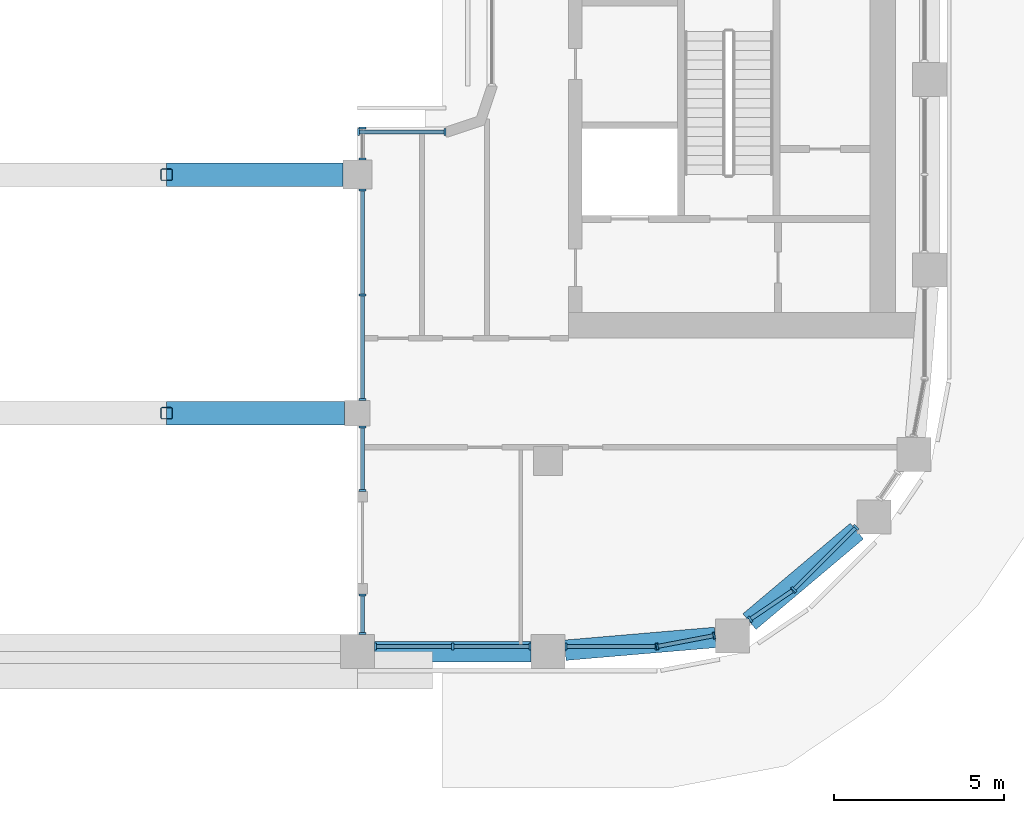
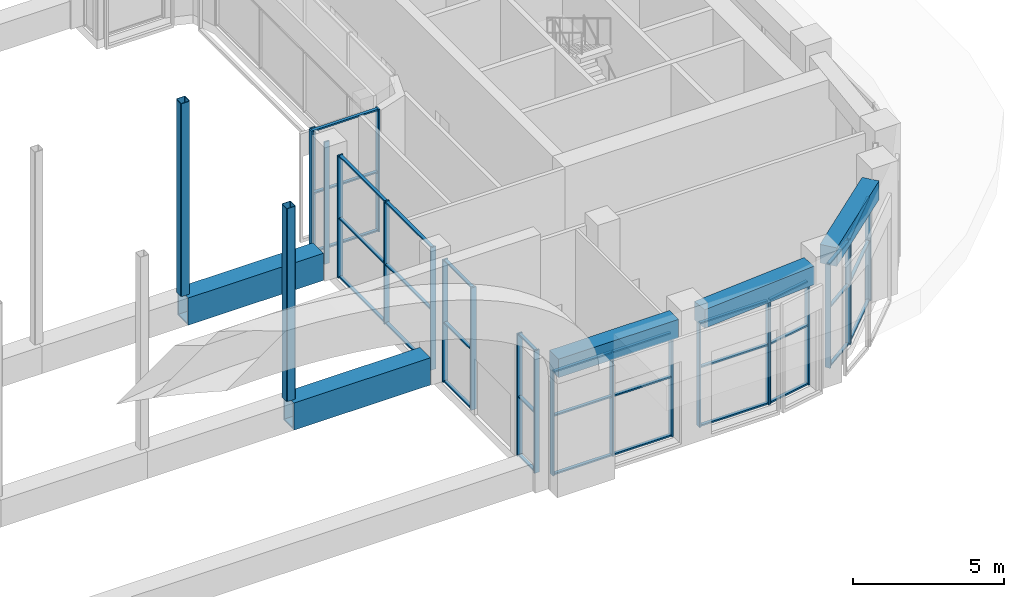
# One storey, part 5 of 28: 59 members, 3 beams, 10 elements without a shape of their own.
"""IFC4 building model written with IfcOpenShell, lengths in metres."""

from ifc_helpers import new_model, si_unit, direction, frame, origin, origin_2d, place, context, subcontext, project, spatial, rectangle, hollow_rectangle, extrude, material, layer, layer_set, material_profile, profile_set, type_object, element, aggregate, save


model = new_model("IFC4")

# Units and contexts
model_context = context("Model", 3, precision=1e-05, world=origin(), true_north=direction((0.0, 1.0)))
body_context = subcontext(model_context, "Body", "Model", "MODEL_VIEW")
ifc_project = project(units=[si_unit("LENGTHUNIT", "METRE"), si_unit("AREAUNIT", "SQUARE_METRE"), si_unit("VOLUMEUNIT", "CUBIC_METRE"), si_unit("PLANEANGLEUNIT", "RADIAN"), si_unit("MASSUNIT", "GRAM", prefix="KILO")], contexts=[model_context])

# Site, building, storey
site_placement = place(None, origin())
site = spatial("IfcSite", under=ifc_project, at=site_placement, CompositionType="ELEMENT")
building_placement = place(site_placement, origin())
building = spatial("IfcBuilding", under=site, at=building_placement, Name="Kiln Ring Residences", CompositionType="ELEMENT")
storey_placement = place(building_placement, frame((0.0, 0.0, 178.10009765625)))
storey = spatial("IfcBuildingStorey", under=building, at=storey_placement, Name="L46", CompositionType="ELEMENT", Elevation=178.10009765625)

# Members
ifc_material_1 = material(Name="Steel S460", Category="steel")
ifc_material_profile_1 = material_profile(ifc_material_1, hollow_rectangle(XDim=0.699951171875, YDim=1.10009765625, WallThickness=0.06005859375, at=origin_2d()), Name="BOX1100x700x60")
ifc_profile_set_1 = profile_set([ifc_material_profile_1], Name="Steel S460")
member_type_1 = type_object("IfcMemberType", Name="Bridge truss chord BOX1100x700x60 S460", PredefinedType="CHORD", material=ifc_profile_set_1)
member_1_placement = place(storey_placement, frame((5.60009765625, -15.39990234375, 0.5498046875), z_axis=(1.0, 0.0, 0.0), x_axis=(0.0, 1.0, 0.0)))
element("IfcMember", 1, at=member_1_placement, inside=storey, type_object=member_type_1, Name="Bridge truss chord L46 5", PredefinedType="CHORD", context=body_context, shape_type="SweptSolid", body=[
    extrude(hollow_rectangle(XDim=0.699951171875, YDim=1.10009765625, WallThickness=0.06005859375, at=origin_2d()), origin(), (0.0, 0.0, 1.0), 5.224853515625),
])
member_2_placement = place(storey_placement, frame((5.60009765625, -8.39990234375, 0.5498046875), z_axis=(1.0, 0.0, 0.0), x_axis=(0.0, 1.0, 0.0)))
element("IfcMember", 2, at=member_2_placement, inside=storey, type_object=member_type_1, Name="Bridge truss chord L46 9", PredefinedType="CHORD", context=body_context, shape_type="SweptSolid", body=[
    extrude(hollow_rectangle(XDim=0.699951171875, YDim=1.10009765625, WallThickness=0.06005859375, at=origin_2d()), origin(), (0.0, 0.0, 1.0), 5.1748046875),
])
ifc_material_2 = material(Name="Steel S355", Category="steel")
ifc_material_profile_2 = material_profile(ifc_material_2, hollow_rectangle(XDim=0.35009765625, YDim=0.35009765625, WallThickness=0.02001953125, InnerFilletRadius=0.02001953125, OuterFilletRadius=0.050048828125, at=origin_2d()), Name="SHS350x350x20")
ifc_profile_set_2 = profile_set([ifc_material_profile_2], Name="Steel S355")
member_type_2 = type_object("IfcMemberType", Name="Bridge truss post SHS350x350x20 S355", PredefinedType="POST", material=ifc_profile_set_2)
for number, where, z_axis, x_axis, name in (
    (3, (5.60009765625, -15.39990234375, 1.099853515625), (0.0, 0.0, 1.0), (1.0, 0.0, 0.0), "Bridge truss post L46 3"),
    (4, (5.60009765625, -8.39990234375, 1.099853515625), (0.0, 0.0, 1.0), (1.0, 0.0, 0.0), "Bridge truss post L46 6"),
):
    element("IfcMember", number, at=place(storey_placement, frame(where, z_axis=z_axis, x_axis=x_axis)), inside=storey, type_object=member_type_2, Name=name, PredefinedType="POST", context=body_context, shape_type="SweptSolid", body=[
        extrude(hollow_rectangle(XDim=0.35009765625, YDim=0.35009765625, WallThickness=0.02001953125, InnerFilletRadius=0.02001953125, OuterFilletRadius=0.050048828125, at=origin_2d()), origin(), (0.0, 0.0, 1.0), 7.800048828125),
    ])

# Curtain wall, members
ifc_material_3 = material(Name="Aluminium and glass", Category="aluminium")
ifc_layer = layer(ifc_material_3, 0.199951171875)
ifc_layer_set = layer_set([ifc_layer], Name="CW1 CURTAIN WALL")
curtain_wall_type = type_object("IfcCurtainWallType", Name="CW1 CURTAIN WALL", PredefinedType="NOTDEFINED", material=ifc_layer_set)
placement = place(storey_placement, origin())
curtain_wall_1 = element("IfcCurtainWall", 5, at=placement, inside=storey, type_object=curtain_wall_type, Name="Curtain wall CW1 L46", PredefinedType="NOTDEFINED")
ifc_material_4 = material(Name="Aluminium 6063-T6", Category="aluminium")
ifc_material_profile_3 = material_profile(ifc_material_4, rectangle(XDim=0.199951171875, YDim=0.06005859375, at=origin_2d()), Name="AL 200x60")
ifc_profile_set_3 = profile_set([ifc_material_profile_3], Name="Aluminium 6063-T6")
member_type_3 = type_object("IfcMemberType", Name="CW1 MULLION 200 x 60", PredefinedType="MULLION", material=ifc_profile_set_3)
member_3_placement = place(storey_placement, frame((13.77001953125, -7.14990234375, 0.0), z_axis=(0.0, 0.0, 1.0), x_axis=(0.0, -1.0, 0.0)))
member_3 = element("IfcMember", 6, at=member_3_placement, type_object=member_type_3, Name="CW1 mullion 1", PredefinedType="MULLION", context=body_context, shape_type="SweptSolid", body=[
    extrude(rectangle(XDim=0.199951171875, YDim=0.06005859375, at=origin_2d()), origin(), (0.0, 0.0, 1.0), 4.949951171875),
])
member_4_placement = place(storey_placement, frame((11.22998046875, -7.14990234375, 0.0), z_axis=(0.0, 0.0, 1.0), x_axis=(0.0, -1.0, 0.0)))
member_4 = element("IfcMember", 7, at=member_4_placement, type_object=member_type_3, Name="CW1 mullion 2", PredefinedType="MULLION", context=body_context, shape_type="SweptSolid", body=[
    extrude(rectangle(XDim=0.199951171875, YDim=0.06005859375, at=origin_2d()), origin(), (0.0, 0.0, 1.0), 4.949951171875),
])

curtain_wall_2 = element("IfcCurtainWall", 8, at=placement, inside=storey, type_object=curtain_wall_type, Name="Curtain wall CW1 L46", PredefinedType="NOTDEFINED")
member_5_placement = place(storey_placement, frame((11.35009765625, -7.030029296875, 0.0), z_axis=(0.0, 0.0, 1.0), x_axis=(1.0, 0.0, 0.0)))
member_5 = element("IfcMember", 9, at=member_5_placement, type_object=member_type_3, Name="CW1 mullion 1", PredefinedType="MULLION", context=body_context, shape_type="SweptSolid", body=[
    extrude(rectangle(XDim=0.199951171875, YDim=0.06005859375, at=origin_2d()), origin(), (0.0, 0.0, 1.0), 4.949951171875),
])
member_6_placement = place(storey_placement, frame((11.35009765625, -7.945068359375, 0.0), z_axis=(0.0, 0.0, 1.0), x_axis=(1.0, 0.0, 0.0)))
member_6 = element("IfcMember", 10, at=member_6_placement, type_object=member_type_3, Name="CW1 mullion 2", PredefinedType="MULLION", context=body_context, shape_type="SweptSolid", body=[
    extrude(rectangle(XDim=0.199951171875, YDim=0.06005859375, at=origin_2d()), origin(), (0.0, 0.0, 1.0), 4.949951171875),
])
aggregate(curtain_wall_2, [member_5, member_6])

curtain_wall_3 = element("IfcCurtainWall", 11, at=placement, inside=storey, type_object=curtain_wall_type, Name="Curtain wall CW1 L46", PredefinedType="NOTDEFINED")
member_7_placement = place(storey_placement, frame((11.35009765625, -8.85498046875, 0.0), z_axis=(0.0, 0.0, 1.0), x_axis=(1.0, 0.0, 0.0)))
member_7 = element("IfcMember", 12, at=member_7_placement, type_object=member_type_3, Name="CW1 mullion 1", PredefinedType="MULLION", context=body_context, shape_type="SweptSolid", body=[
    extrude(rectangle(XDim=0.199951171875, YDim=0.06005859375, at=origin_2d()), origin(), (0.0, 0.0, 1.0), 4.949951171875),
])
member_8_placement = place(storey_placement, frame((11.35009765625, -11.925048828125, 0.0), z_axis=(0.0, 0.0, 1.0), x_axis=(1.0, 0.0, 0.0)))
member_8 = element("IfcMember", 13, at=member_8_placement, type_object=member_type_3, Name="CW1 mullion 2", PredefinedType="MULLION", context=body_context, shape_type="SweptSolid", body=[
    extrude(rectangle(XDim=0.199951171875, YDim=0.06005859375, at=origin_2d()), origin(), (0.0, 0.0, 1.0), 4.949951171875),
])
member_9_placement = place(storey_placement, frame((11.35009765625, -14.9951171875, 0.0), z_axis=(0.0, 0.0, 1.0), x_axis=(1.0, 0.0, 0.0)))
member_9 = element("IfcMember", 14, at=member_9_placement, type_object=member_type_3, Name="CW1 mullion 3", PredefinedType="MULLION", context=body_context, shape_type="SweptSolid", body=[
    extrude(rectangle(XDim=0.199951171875, YDim=0.06005859375, at=origin_2d()), origin(), (0.0, 0.0, 1.0), 4.949951171875),
])

curtain_wall_4 = element("IfcCurtainWall", 15, at=placement, inside=storey, type_object=curtain_wall_type, Name="Curtain wall CW1 L46", PredefinedType="NOTDEFINED")
member_10_placement = place(storey_placement, frame((11.35009765625, -15.804931640625, 0.0), z_axis=(0.0, 0.0, 1.0), x_axis=(1.0, 0.0, 0.0)))
member_10 = element("IfcMember", 16, at=member_10_placement, type_object=member_type_3, Name="CW1 mullion 1", PredefinedType="MULLION", context=body_context, shape_type="SweptSolid", body=[
    extrude(rectangle(XDim=0.199951171875, YDim=0.06005859375, at=origin_2d()), origin(), (0.0, 0.0, 1.0), 4.949951171875),
])
member_11_placement = place(storey_placement, frame((11.35009765625, -17.669921875, 0.0), z_axis=(0.0, 0.0, 1.0), x_axis=(1.0, 0.0, 0.0)))
member_11 = element("IfcMember", 17, at=member_11_placement, type_object=member_type_3, Name="CW1 mullion 2", PredefinedType="MULLION", context=body_context, shape_type="SweptSolid", body=[
    extrude(rectangle(XDim=0.199951171875, YDim=0.06005859375, at=origin_2d()), origin(), (0.0, 0.0, 1.0), 4.949951171875),
])

curtain_wall_5 = element("IfcCurtainWall", 18, at=placement, inside=storey, type_object=curtain_wall_type, Name="Curtain wall CW1 L46", PredefinedType="NOTDEFINED")
member_12_placement = place(storey_placement, frame((11.35009765625, -20.72998046875, 0.0), z_axis=(0.0, 0.0, 1.0), x_axis=(1.0, 0.0, 0.0)))
member_12 = element("IfcMember", 19, at=member_12_placement, type_object=member_type_3, Name="CW1 mullion 1", PredefinedType="MULLION", context=body_context, shape_type="SweptSolid", body=[
    extrude(rectangle(XDim=0.199951171875, YDim=0.06005859375, at=origin_2d()), origin(), (0.0, 0.0, 1.0), 4.949951171875),
])
member_13_placement = place(storey_placement, frame((11.35009765625, -21.8701171875, 0.0), z_axis=(0.0, 0.0, 1.0), x_axis=(1.0, 0.0, 0.0)))
member_13 = element("IfcMember", 20, at=member_13_placement, type_object=member_type_3, Name="CW1 mullion 2", PredefinedType="MULLION", context=body_context, shape_type="SweptSolid", body=[
    extrude(rectangle(XDim=0.199951171875, YDim=0.06005859375, at=origin_2d()), origin(), (0.0, 0.0, 1.0), 4.949951171875),
])

curtain_wall_6 = element("IfcCurtainWall", 21, at=placement, inside=storey, type_object=curtain_wall_type, Name="Curtain wall CW1 L46", PredefinedType="NOTDEFINED")
member_14_placement = place(storey_placement, frame((11.72998046875, -22.25, 0.0), z_axis=(0.0, 0.0, 1.0), x_axis=(0.0, 1.0, 0.0)))
member_14 = element("IfcMember", 22, at=member_14_placement, type_object=member_type_3, Name="CW1 mullion 1", PredefinedType="MULLION", context=body_context, shape_type="SweptSolid", body=[
    extrude(rectangle(XDim=0.199951171875, YDim=0.06005859375, at=origin_2d()), origin(), (0.0, 0.0, 1.0), 4.199951171875),
])
member_15_placement = place(storey_placement, frame((14.0, -22.25, 0.0), z_axis=(0.0, 0.0, 1.0), x_axis=(0.0, 1.0, 0.0)))
member_15 = element("IfcMember", 23, at=member_15_placement, type_object=member_type_3, Name="CW1 mullion 2", PredefinedType="MULLION", context=body_context, shape_type="SweptSolid", body=[
    extrude(rectangle(XDim=0.199951171875, YDim=0.06005859375, at=origin_2d()), origin(), (0.0, 0.0, 1.0), 4.199951171875),
])
member_16_placement = place(storey_placement, frame((16.27001953125, -22.25, 0.0), z_axis=(0.0, 0.0, 1.0), x_axis=(0.0, 1.0, 0.0)))
member_16 = element("IfcMember", 24, at=member_16_placement, type_object=member_type_3, Name="CW1 mullion 3", PredefinedType="MULLION", context=body_context, shape_type="SweptSolid", body=[
    extrude(rectangle(XDim=0.199951171875, YDim=0.06005859375, at=origin_2d()), origin(), (0.0, 0.0, 1.0), 4.199951171875),
])

curtain_wall_7 = element("IfcCurtainWall", 25, at=placement, inside=storey, type_object=curtain_wall_type, Name="Curtain wall CW1 L46", PredefinedType="NOTDEFINED")
member_17_placement = place(storey_placement, frame((17.330078125, -22.25, 0.0), z_axis=(0.0, 0.0, 1.0), x_axis=(0.0, 1.0, 0.0)))
member_17 = element("IfcMember", 26, at=member_17_placement, type_object=member_type_3, Name="CW1 mullion 1", PredefinedType="MULLION", context=body_context, shape_type="SweptSolid", body=[
    extrude(rectangle(XDim=0.199951171875, YDim=0.06005859375, at=origin_2d()), origin(), (0.0, 0.0, 1.0), 4.199951171875),
])
member_18_placement = place(storey_placement, frame((19.969970703125, -22.25, 0.0), z_axis=(0.0, 0.0, 1.0), x_axis=(0.0, 1.0, 0.0)))
member_18 = element("IfcMember", 27, at=member_18_placement, type_object=member_type_3, Name="CW1 mullion 2", PredefinedType="MULLION", context=body_context, shape_type="SweptSolid", body=[
    extrude(rectangle(XDim=0.199951171875, YDim=0.06005859375, at=origin_2d()), origin(), (0.0, 0.0, 1.0), 4.199951171875),
])

curtain_wall_8 = element("IfcCurtainWall", 28, at=placement, inside=storey, type_object=curtain_wall_type, Name="Curtain wall CW1 L46", PredefinedType="NOTDEFINED")
member_19_placement = place(storey_placement, frame((20.00146484375, -22.2470703125, 0.0), z_axis=(0.0, 0.0, 1.0), x_axis=(-0.187365550227, 0.98229025781, 0.0)))
member_19 = element("IfcMember", 29, at=member_19_placement, type_object=member_type_3, Name="CW1 mullion 1", PredefinedType="MULLION", context=body_context, shape_type="SweptSolid", body=[
    extrude(rectangle(XDim=0.199951171875, YDim=0.06005859375, at=origin_2d()), origin(), (0.0, 0.0, 1.0), 4.199951171875),
])
member_20_placement = place(storey_placement, frame((21.66748046875, -21.92919921875, 0.0), z_axis=(0.0, 0.0, 1.0), x_axis=(-0.187365550227, 0.98229025781, 0.0)))
member_20 = element("IfcMember", 30, at=member_20_placement, type_object=member_type_3, Name="CW1 mullion 2", PredefinedType="MULLION", context=body_context, shape_type="SweptSolid", body=[
    extrude(rectangle(XDim=0.199951171875, YDim=0.06005859375, at=origin_2d()), origin(), (0.0, 0.0, 1.0), 4.199951171875),
])

curtain_wall_9 = element("IfcCurtainWall", 31, at=placement, inside=storey, type_object=curtain_wall_type, Name="Curtain wall CW1 L46", PredefinedType="NOTDEFINED")
member_21_placement = place(storey_placement, frame((22.7333984375, -21.4482421875, 0.0), z_axis=(0.0, 0.0, 1.0), x_axis=(-0.562096651438, 0.827071553399, 0.0)))
member_21 = element("IfcMember", 32, at=member_21_placement, type_object=member_type_3, Name="CW1 mullion 1", PredefinedType="MULLION", context=body_context, shape_type="SweptSolid", body=[
    extrude(rectangle(XDim=0.199951171875, YDim=0.06005859375, at=origin_2d()), origin(), (0.0, 0.0, 1.0), 4.199951171875),
])
member_22_placement = place(storey_placement, frame((23.988037109375, -20.595703125, 0.0), z_axis=(0.0, 0.0, 1.0), x_axis=(-0.562096651438, 0.827071553399, 0.0)))
member_22 = element("IfcMember", 33, at=member_22_placement, type_object=member_type_3, Name="CW1 mullion 2", PredefinedType="MULLION", context=body_context, shape_type="SweptSolid", body=[
    extrude(rectangle(XDim=0.199951171875, YDim=0.06005859375, at=origin_2d()), origin(), (0.0, 0.0, 1.0), 4.199951171875),
])

curtain_wall_10 = element("IfcCurtainWall", 34, at=placement, inside=storey, type_object=curtain_wall_type, Name="Curtain wall CW1 L46", PredefinedType="NOTDEFINED")
member_23_placement = place(storey_placement, frame((24.01220703125, -20.57568359375, 0.0), z_axis=(0.0, 0.0, 1.0), x_axis=(-0.707106781187, 0.707106781187, 0.0)))
member_23 = element("IfcMember", 35, at=member_23_placement, type_object=member_type_3, Name="CW1 mullion 1", PredefinedType="MULLION", context=body_context, shape_type="SweptSolid", body=[
    extrude(rectangle(XDim=0.199951171875, YDim=0.06005859375, at=origin_2d()), origin(), (0.0, 0.0, 1.0), 4.199951171875),
])
member_24_placement = place(storey_placement, frame((25.838623046875, -18.749267578125, 0.0), z_axis=(0.0, 0.0, 1.0), x_axis=(-0.707106781187, 0.707106781187, 0.0)))
member_24 = element("IfcMember", 36, at=member_24_placement, type_object=member_type_3, Name="CW1 mullion 2", PredefinedType="MULLION", context=body_context, shape_type="SweptSolid", body=[
    extrude(rectangle(XDim=0.199951171875, YDim=0.06005859375, at=origin_2d()), origin(), (0.0, 0.0, 1.0), 4.199951171875),
])

# Member
ifc_material_5 = material(Name="Aluminium 6063-T6", Category="aluminium")
ifc_material_profile_4 = material_profile(ifc_material_5, rectangle(XDim=0.1201171875, YDim=0.06005859375, at=origin_2d()), Name="AL 120x60")
ifc_profile_set_4 = profile_set([ifc_material_profile_4], Name="Aluminium 6063-T6")
member_type_4 = type_object("IfcMemberType", Name="CW1 TRANSOM 120 x 60", PredefinedType="USERDEFINED", material=ifc_profile_set_4)
member_25_placement = place(storey_placement, frame((13.739990234375, -7.14990234375, 0.02978515625), z_axis=(-1.0, 0.0, 0.0), x_axis=(0.0, -1.0, 0.0)))
member_25 = element("IfcMember", 37, at=member_25_placement, type_object=member_type_4, Name="CW1 transom 1.1", ObjectType="TRANSOM", PredefinedType="USERDEFINED", context=body_context, shape_type="SweptSolid", body=[
    extrude(rectangle(XDim=0.1201171875, YDim=0.06005859375, at=origin_2d()), origin(), (0.0, 0.0, 1.0), 2.47998046875),
])

member_26_placement = place(storey_placement, frame((13.739990234375, -7.14990234375, 2.39990234375), z_axis=(-1.0, 0.0, 0.0), x_axis=(0.0, -1.0, 0.0)))
member_26 = element("IfcMember", 38, at=member_26_placement, type_object=member_type_4, Name="CW1 transom 1.2", ObjectType="TRANSOM", PredefinedType="USERDEFINED", context=body_context, shape_type="SweptSolid", body=[
    extrude(rectangle(XDim=0.1201171875, YDim=0.06005859375, at=origin_2d()), origin(), (0.0, 0.0, 1.0), 2.47998046875),
])

member_27_placement = place(storey_placement, frame((13.739990234375, -7.14990234375, 4.919921875), z_axis=(-1.0, 0.0, 0.0), x_axis=(0.0, -1.0, 0.0)))
member_27 = element("IfcMember", 39, at=member_27_placement, type_object=member_type_4, Name="CW1 transom 1.3", ObjectType="TRANSOM", PredefinedType="USERDEFINED", context=body_context, shape_type="SweptSolid", body=[
    extrude(rectangle(XDim=0.1201171875, YDim=0.06005859375, at=origin_2d()), origin(), (0.0, 0.0, 1.0), 2.47998046875),
])

aggregate(curtain_wall_1, [member_3, member_4, member_25, member_26, member_27])

member_28_placement = place(storey_placement, frame((11.35009765625, -8.885009765625, 0.02978515625), z_axis=(0.0, -1.0, 0.0), x_axis=(1.0, 0.0, 0.0)))
member_28 = element("IfcMember", 40, at=member_28_placement, type_object=member_type_4, Name="CW1 transom 1.1", ObjectType="TRANSOM", PredefinedType="USERDEFINED", context=body_context, shape_type="SweptSolid", body=[
    extrude(rectangle(XDim=0.1201171875, YDim=0.06005859375, at=origin_2d()), origin(), (0.0, 0.0, 1.0), 3.010009765625),
])

member_29_placement = place(storey_placement, frame((11.35009765625, -8.885009765625, 2.39990234375), z_axis=(0.0, -1.0, 0.0), x_axis=(1.0, 0.0, 0.0)))
member_29 = element("IfcMember", 41, at=member_29_placement, type_object=member_type_4, Name="CW1 transom 1.2", ObjectType="TRANSOM", PredefinedType="USERDEFINED", context=body_context, shape_type="SweptSolid", body=[
    extrude(rectangle(XDim=0.1201171875, YDim=0.06005859375, at=origin_2d()), origin(), (0.0, 0.0, 1.0), 3.010009765625),
])

member_30_placement = place(storey_placement, frame((11.35009765625, -8.885009765625, 4.919921875), z_axis=(0.0, -1.0, 0.0), x_axis=(1.0, 0.0, 0.0)))
member_30 = element("IfcMember", 42, at=member_30_placement, type_object=member_type_4, Name="CW1 transom 1.3", ObjectType="TRANSOM", PredefinedType="USERDEFINED", context=body_context, shape_type="SweptSolid", body=[
    extrude(rectangle(XDim=0.1201171875, YDim=0.06005859375, at=origin_2d()), origin(), (0.0, 0.0, 1.0), 3.010009765625),
])

member_31_placement = place(storey_placement, frame((11.35009765625, -11.955078125, 0.02978515625), z_axis=(0.0, -1.0, 0.0), x_axis=(1.0, 0.0, 0.0)))
member_31 = element("IfcMember", 43, at=member_31_placement, type_object=member_type_4, Name="CW1 transom 2.1", ObjectType="TRANSOM", PredefinedType="USERDEFINED", context=body_context, shape_type="SweptSolid", body=[
    extrude(rectangle(XDim=0.1201171875, YDim=0.06005859375, at=origin_2d()), origin(), (0.0, 0.0, 1.0), 3.010009765625),
])

member_32_placement = place(storey_placement, frame((11.35009765625, -11.955078125, 2.39990234375), z_axis=(0.0, -1.0, 0.0), x_axis=(1.0, 0.0, 0.0)))
member_32 = element("IfcMember", 44, at=member_32_placement, type_object=member_type_4, Name="CW1 transom 2.2", ObjectType="TRANSOM", PredefinedType="USERDEFINED", context=body_context, shape_type="SweptSolid", body=[
    extrude(rectangle(XDim=0.1201171875, YDim=0.06005859375, at=origin_2d()), origin(), (0.0, 0.0, 1.0), 3.010009765625),
])

member_33_placement = place(storey_placement, frame((11.35009765625, -11.955078125, 4.919921875), z_axis=(0.0, -1.0, 0.0), x_axis=(1.0, 0.0, 0.0)))
member_33 = element("IfcMember", 45, at=member_33_placement, type_object=member_type_4, Name="CW1 transom 2.3", ObjectType="TRANSOM", PredefinedType="USERDEFINED", context=body_context, shape_type="SweptSolid", body=[
    extrude(rectangle(XDim=0.1201171875, YDim=0.06005859375, at=origin_2d()), origin(), (0.0, 0.0, 1.0), 3.010009765625),
])

aggregate(curtain_wall_3, [member_7, member_8, member_9, member_28, member_29, member_30, member_31, member_32, member_33])

member_34_placement = place(storey_placement, frame((11.35009765625, -15.8349609375, 0.02978515625), z_axis=(0.0, -1.0, 0.0), x_axis=(1.0, 0.0, 0.0)))
member_34 = element("IfcMember", 46, at=member_34_placement, type_object=member_type_4, Name="CW1 transom 1.1", ObjectType="TRANSOM", PredefinedType="USERDEFINED", context=body_context, shape_type="SweptSolid", body=[
    extrude(rectangle(XDim=0.1201171875, YDim=0.06005859375, at=origin_2d()), origin(), (0.0, 0.0, 1.0), 1.804931640625),
])

member_35_placement = place(storey_placement, frame((11.35009765625, -15.8349609375, 2.39990234375), z_axis=(0.0, -1.0, 0.0), x_axis=(1.0, 0.0, 0.0)))
member_35 = element("IfcMember", 47, at=member_35_placement, type_object=member_type_4, Name="CW1 transom 1.2", ObjectType="TRANSOM", PredefinedType="USERDEFINED", context=body_context, shape_type="SweptSolid", body=[
    extrude(rectangle(XDim=0.1201171875, YDim=0.06005859375, at=origin_2d()), origin(), (0.0, 0.0, 1.0), 1.804931640625),
])

member_36_placement = place(storey_placement, frame((11.35009765625, -15.8349609375, 4.919921875), z_axis=(0.0, -1.0, 0.0), x_axis=(1.0, 0.0, 0.0)))
member_36 = element("IfcMember", 48, at=member_36_placement, type_object=member_type_4, Name="CW1 transom 1.3", ObjectType="TRANSOM", PredefinedType="USERDEFINED", context=body_context, shape_type="SweptSolid", body=[
    extrude(rectangle(XDim=0.1201171875, YDim=0.06005859375, at=origin_2d()), origin(), (0.0, 0.0, 1.0), 1.804931640625),
])

aggregate(curtain_wall_4, [member_10, member_11, member_34, member_35, member_36])

member_37_placement = place(storey_placement, frame((11.35009765625, -20.760009765625, 0.02978515625), z_axis=(0.0, -1.0, 0.0), x_axis=(1.0, 0.0, 0.0)))
member_37 = element("IfcMember", 49, at=member_37_placement, type_object=member_type_4, Name="CW1 transom 1.1", ObjectType="TRANSOM", PredefinedType="USERDEFINED", context=body_context, shape_type="SweptSolid", body=[
    extrude(rectangle(XDim=0.1201171875, YDim=0.06005859375, at=origin_2d()), origin(), (0.0, 0.0, 1.0), 1.080078125),
])

member_38_placement = place(storey_placement, frame((11.35009765625, -20.760009765625, 2.39990234375), z_axis=(0.0, -1.0, 0.0), x_axis=(1.0, 0.0, 0.0)))
member_38 = element("IfcMember", 50, at=member_38_placement, type_object=member_type_4, Name="CW1 transom 1.2", ObjectType="TRANSOM", PredefinedType="USERDEFINED", context=body_context, shape_type="SweptSolid", body=[
    extrude(rectangle(XDim=0.1201171875, YDim=0.06005859375, at=origin_2d()), origin(), (0.0, 0.0, 1.0), 1.080078125),
])

member_39_placement = place(storey_placement, frame((11.35009765625, -20.760009765625, 4.919921875), z_axis=(0.0, -1.0, 0.0), x_axis=(1.0, 0.0, 0.0)))
member_39 = element("IfcMember", 51, at=member_39_placement, type_object=member_type_4, Name="CW1 transom 1.3", ObjectType="TRANSOM", PredefinedType="USERDEFINED", context=body_context, shape_type="SweptSolid", body=[
    extrude(rectangle(XDim=0.1201171875, YDim=0.06005859375, at=origin_2d()), origin(), (0.0, 0.0, 1.0), 1.080078125),
])

aggregate(curtain_wall_5, [member_12, member_13, member_37, member_38, member_39])

member_40_placement = place(storey_placement, frame((11.760009765625, -22.25, 0.02978515625), z_axis=(1.0, 0.0, 0.0), x_axis=(0.0, 1.0, 0.0)))
member_40 = element("IfcMember", 52, at=member_40_placement, type_object=member_type_4, Name="CW1 transom 1.1", ObjectType="TRANSOM", PredefinedType="USERDEFINED", context=body_context, shape_type="SweptSolid", body=[
    extrude(rectangle(XDim=0.1201171875, YDim=0.06005859375, at=origin_2d()), origin(), (0.0, 0.0, 1.0), 2.2099609375),
])

member_41_placement = place(storey_placement, frame((11.760009765625, -22.25, 2.39990234375), z_axis=(1.0, 0.0, 0.0), x_axis=(0.0, 1.0, 0.0)))
member_41 = element("IfcMember", 53, at=member_41_placement, type_object=member_type_4, Name="CW1 transom 1.2", ObjectType="TRANSOM", PredefinedType="USERDEFINED", context=body_context, shape_type="SweptSolid", body=[
    extrude(rectangle(XDim=0.1201171875, YDim=0.06005859375, at=origin_2d()), origin(), (0.0, 0.0, 1.0), 2.2099609375),
])

member_42_placement = place(storey_placement, frame((11.760009765625, -22.25, 4.169921875), z_axis=(1.0, 0.0, 0.0), x_axis=(0.0, 1.0, 0.0)))
member_42 = element("IfcMember", 54, at=member_42_placement, type_object=member_type_4, Name="CW1 transom 1.3", ObjectType="TRANSOM", PredefinedType="USERDEFINED", context=body_context, shape_type="SweptSolid", body=[
    extrude(rectangle(XDim=0.1201171875, YDim=0.06005859375, at=origin_2d()), origin(), (0.0, 0.0, 1.0), 2.2099609375),
])

member_43_placement = place(storey_placement, frame((14.030029296875, -22.25, 0.02978515625), z_axis=(1.0, 0.0, 0.0), x_axis=(0.0, 1.0, 0.0)))
member_43 = element("IfcMember", 55, at=member_43_placement, type_object=member_type_4, Name="CW1 transom 2.1", ObjectType="TRANSOM", PredefinedType="USERDEFINED", context=body_context, shape_type="SweptSolid", body=[
    extrude(rectangle(XDim=0.1201171875, YDim=0.06005859375, at=origin_2d()), origin(), (0.0, 0.0, 1.0), 2.2099609375),
])

member_44_placement = place(storey_placement, frame((14.030029296875, -22.25, 2.39990234375), z_axis=(1.0, 0.0, 0.0), x_axis=(0.0, 1.0, 0.0)))
member_44 = element("IfcMember", 56, at=member_44_placement, type_object=member_type_4, Name="CW1 transom 2.2", ObjectType="TRANSOM", PredefinedType="USERDEFINED", context=body_context, shape_type="SweptSolid", body=[
    extrude(rectangle(XDim=0.1201171875, YDim=0.06005859375, at=origin_2d()), origin(), (0.0, 0.0, 1.0), 2.2099609375),
])

member_45_placement = place(storey_placement, frame((14.030029296875, -22.25, 4.169921875), z_axis=(1.0, 0.0, 0.0), x_axis=(0.0, 1.0, 0.0)))
member_45 = element("IfcMember", 57, at=member_45_placement, type_object=member_type_4, Name="CW1 transom 2.3", ObjectType="TRANSOM", PredefinedType="USERDEFINED", context=body_context, shape_type="SweptSolid", body=[
    extrude(rectangle(XDim=0.1201171875, YDim=0.06005859375, at=origin_2d()), origin(), (0.0, 0.0, 1.0), 2.2099609375),
])

aggregate(curtain_wall_6, [member_14, member_15, member_16, member_40, member_41, member_42, member_43, member_44, member_45])

member_46_placement = place(storey_placement, frame((17.360107421875, -22.25, 0.02978515625), z_axis=(1.0, 0.0, 0.0), x_axis=(0.0, 1.0, 0.0)))
member_46 = element("IfcMember", 58, at=member_46_placement, type_object=member_type_4, Name="CW1 transom 1.1", ObjectType="TRANSOM", PredefinedType="USERDEFINED", context=body_context, shape_type="SweptSolid", body=[
    extrude(rectangle(XDim=0.1201171875, YDim=0.06005859375, at=origin_2d()), origin(), (0.0, 0.0, 1.0), 2.579833984375),
])

member_47_placement = place(storey_placement, frame((17.360107421875, -22.25, 2.39990234375), z_axis=(1.0, 0.0, 0.0), x_axis=(0.0, 1.0, 0.0)))
member_47 = element("IfcMember", 59, at=member_47_placement, type_object=member_type_4, Name="CW1 transom 1.2", ObjectType="TRANSOM", PredefinedType="USERDEFINED", context=body_context, shape_type="SweptSolid", body=[
    extrude(rectangle(XDim=0.1201171875, YDim=0.06005859375, at=origin_2d()), origin(), (0.0, 0.0, 1.0), 2.579833984375),
])

member_48_placement = place(storey_placement, frame((17.360107421875, -22.25, 4.169921875), z_axis=(1.0, 0.0, 0.0), x_axis=(0.0, 1.0, 0.0)))
member_48 = element("IfcMember", 60, at=member_48_placement, type_object=member_type_4, Name="CW1 transom 1.3", ObjectType="TRANSOM", PredefinedType="USERDEFINED", context=body_context, shape_type="SweptSolid", body=[
    extrude(rectangle(XDim=0.1201171875, YDim=0.06005859375, at=origin_2d()), origin(), (0.0, 0.0, 1.0), 2.579833984375),
])

aggregate(curtain_wall_7, [member_17, member_18, member_46, member_47, member_48])

member_49_placement = place(storey_placement, frame((20.03076171875, -22.241455078125, 0.02978515625), z_axis=(0.982281054437, 0.187413793768, 0.0), x_axis=(-0.187413793768, 0.982281054437, 0.0)))
member_49 = element("IfcMember", 61, at=member_49_placement, type_object=member_type_4, Name="CW1 transom 1.1", ObjectType="TRANSOM", PredefinedType="USERDEFINED", context=body_context, shape_type="SweptSolid", body=[
    extrude(rectangle(XDim=0.1201171875, YDim=0.06005859375, at=origin_2d()), origin(), (0.0, 0.0, 1.0), 1.63623046875),
])

member_50_placement = place(storey_placement, frame((20.03076171875, -22.241455078125, 2.39990234375), z_axis=(0.982281054437, 0.187413793768, 0.0), x_axis=(-0.187413793768, 0.982281054437, 0.0)))
member_50 = element("IfcMember", 62, at=member_50_placement, type_object=member_type_4, Name="CW1 transom 1.2", ObjectType="TRANSOM", PredefinedType="USERDEFINED", context=body_context, shape_type="SweptSolid", body=[
    extrude(rectangle(XDim=0.1201171875, YDim=0.06005859375, at=origin_2d()), origin(), (0.0, 0.0, 1.0), 1.63623046875),
])

member_51_placement = place(storey_placement, frame((20.03076171875, -22.241455078125, 4.169921875), z_axis=(0.982281054437, 0.187413793768, 0.0), x_axis=(-0.187413793768, 0.982281054437, 0.0)))
member_51 = element("IfcMember", 63, at=member_51_placement, type_object=member_type_4, Name="CW1 transom 1.3", ObjectType="TRANSOM", PredefinedType="USERDEFINED", context=body_context, shape_type="SweptSolid", body=[
    extrude(rectangle(XDim=0.1201171875, YDim=0.06005859375, at=origin_2d()), origin(), (0.0, 0.0, 1.0), 1.63623046875),
])

aggregate(curtain_wall_8, [member_19, member_20, member_49, member_50, member_51])

member_52_placement = place(storey_placement, frame((22.75830078125, -21.431396484375, 0.02978515625), z_axis=(0.827066747583, 0.562103722673, 0.0), x_axis=(-0.562103722673, 0.827066747583, 0.0)))
member_52 = element("IfcMember", 64, at=member_52_placement, type_object=member_type_4, Name="CW1 transom 1.1", ObjectType="TRANSOM", PredefinedType="USERDEFINED", context=body_context, shape_type="SweptSolid", body=[
    extrude(rectangle(XDim=0.1201171875, YDim=0.06005859375, at=origin_2d()), origin(), (0.0, 0.0, 1.0), 1.456787109375),
])

member_53_placement = place(storey_placement, frame((22.75830078125, -21.431396484375, 2.39990234375), z_axis=(0.827066747583, 0.562103722673, 0.0), x_axis=(-0.562103722673, 0.827066747583, 0.0)))
member_53 = element("IfcMember", 65, at=member_53_placement, type_object=member_type_4, Name="CW1 transom 1.2", ObjectType="TRANSOM", PredefinedType="USERDEFINED", context=body_context, shape_type="SweptSolid", body=[
    extrude(rectangle(XDim=0.1201171875, YDim=0.06005859375, at=origin_2d()), origin(), (0.0, 0.0, 1.0), 1.456787109375),
])

member_54_placement = place(storey_placement, frame((22.75830078125, -21.431396484375, 4.169921875), z_axis=(0.827066747583, 0.562103722673, 0.0), x_axis=(-0.562103722673, 0.827066747583, 0.0)))
member_54 = element("IfcMember", 66, at=member_54_placement, type_object=member_type_4, Name="CW1 transom 1.3", ObjectType="TRANSOM", PredefinedType="USERDEFINED", context=body_context, shape_type="SweptSolid", body=[
    extrude(rectangle(XDim=0.1201171875, YDim=0.06005859375, at=origin_2d()), origin(), (0.0, 0.0, 1.0), 1.456787109375),
])

aggregate(curtain_wall_9, [member_21, member_22, member_52, member_53, member_54])

member_55_placement = place(storey_placement, frame((24.033447265625, -20.554443359375, 0.02978515625), z_axis=(0.707106781187, 0.707106781187, 0.0), x_axis=(-0.707106781187, 0.707106781187, 0.0)))
member_55 = element("IfcMember", 67, at=member_55_placement, type_object=member_type_4, Name="CW1 transom 1.1", ObjectType="TRANSOM", PredefinedType="USERDEFINED", context=body_context, shape_type="SweptSolid", body=[
    extrude(rectangle(XDim=0.1201171875, YDim=0.06005859375, at=origin_2d()), origin(), (0.0, 0.0, 1.0), 2.52294921875),
])

member_56_placement = place(storey_placement, frame((24.033447265625, -20.554443359375, 2.39990234375), z_axis=(0.707106781187, 0.707106781187, 0.0), x_axis=(-0.707106781187, 0.707106781187, 0.0)))
member_56 = element("IfcMember", 68, at=member_56_placement, type_object=member_type_4, Name="CW1 transom 1.2", ObjectType="TRANSOM", PredefinedType="USERDEFINED", context=body_context, shape_type="SweptSolid", body=[
    extrude(rectangle(XDim=0.1201171875, YDim=0.06005859375, at=origin_2d()), origin(), (0.0, 0.0, 1.0), 2.52294921875),
])

member_57_placement = place(storey_placement, frame((24.033447265625, -20.554443359375, 4.169921875), z_axis=(0.707106781187, 0.707106781187, 0.0), x_axis=(-0.707106781187, 0.707106781187, 0.0)))
member_57 = element("IfcMember", 69, at=member_57_placement, type_object=member_type_4, Name="CW1 transom 1.3", ObjectType="TRANSOM", PredefinedType="USERDEFINED", context=body_context, shape_type="SweptSolid", body=[
    extrude(rectangle(XDim=0.1201171875, YDim=0.06005859375, at=origin_2d()), origin(), (0.0, 0.0, 1.0), 2.52294921875),
])

aggregate(curtain_wall_10, [member_23, member_24, member_55, member_56, member_57])

# Beams
ifc_material_6 = material(Name="Concrete C50/60", Category="concrete")
ifc_material_profile_5 = material_profile(ifc_material_6, rectangle(XDim=0.60009765625, YDim=0.75, at=origin_2d()), Name="RC600x750")
ifc_profile_set_5 = profile_set([ifc_material_profile_5], Name="Concrete C50/60")
beam_type = type_object("IfcBeamType", Name="Spandrel beam RC600x750 C50/60", PredefinedType="SPANDREL", material=ifc_profile_set_5)
beam_1_placement = place(storey_placement, frame((11.699951171875, -22.39990234375, 4.574951171875), z_axis=(1.0, 0.0, 0.0), x_axis=(0.0, 1.0, 0.0)))
element("IfcBeam", 70, at=beam_1_placement, inside=storey, type_object=beam_type, Name="Spandrel beam L46 3", PredefinedType="SPANDREL", context=body_context, shape_type="SweptSolid", body=[
    extrude(rectangle(XDim=0.60009765625, YDim=0.75, at=origin_2d()), origin(), (0.0, 0.0, 1.0), 4.60009765625),
])
beam_2_placement = place(storey_placement, frame((17.300048828125, -22.357421875, 4.574951171875), z_axis=(0.996369283519, 0.0851366599, 0.0), x_axis=(-0.0851366599, 0.996369283519, 0.0)))
element("IfcBeam", 71, at=beam_2_placement, inside=storey, type_object=beam_type, Name="Spandrel beam L46 4", PredefinedType="SPANDREL", context=body_context, shape_type="SweptSolid", body=[
    extrude(rectangle(XDim=0.60009765625, YDim=0.75, at=origin_2d()), origin(), (0.0, 0.0, 1.0), 4.4248046875),
])
beam_3_placement = place(storey_placement, frame((22.708740234375, -21.516845703125, 4.574951171875), z_axis=(0.764708354916, 0.644376545136, 0.0), x_axis=(-0.644376545136, 0.764708354916, 0.0)))
element("IfcBeam", 72, at=beam_3_placement, inside=storey, type_object=beam_type, Name="Spandrel beam L46 5", PredefinedType="SPANDREL", context=body_context, shape_type="SweptSolid", body=[
    extrude(rectangle(XDim=0.60009765625, YDim=0.75, at=origin_2d()), origin(), (0.0, 0.0, 1.0), 4.12060546875),
])

save(model, "model.ifc")
